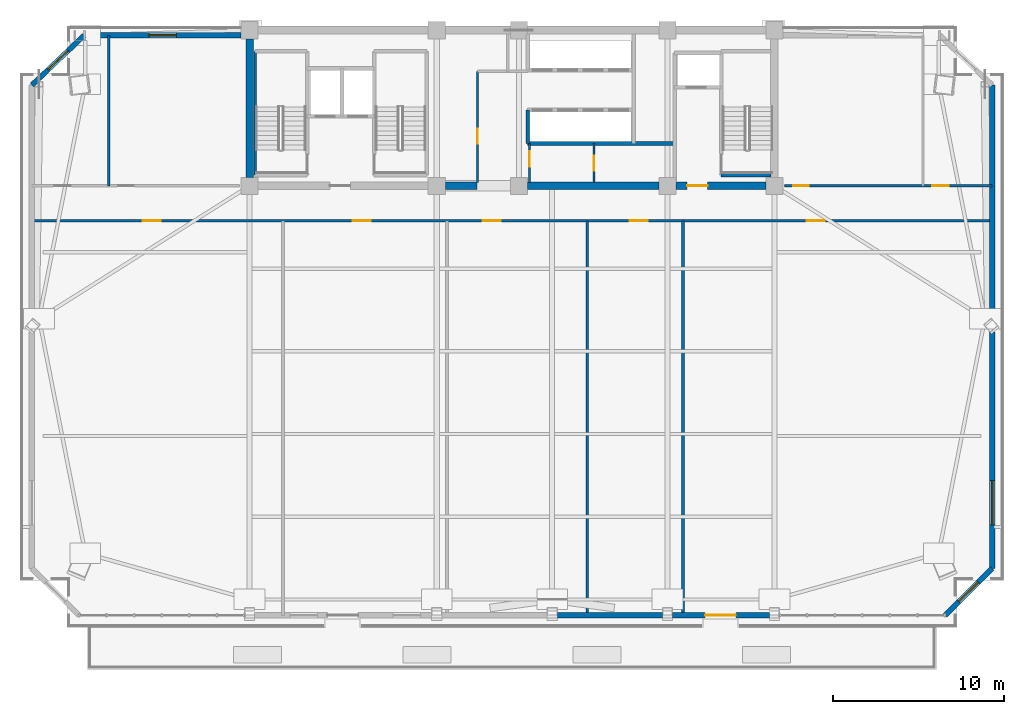
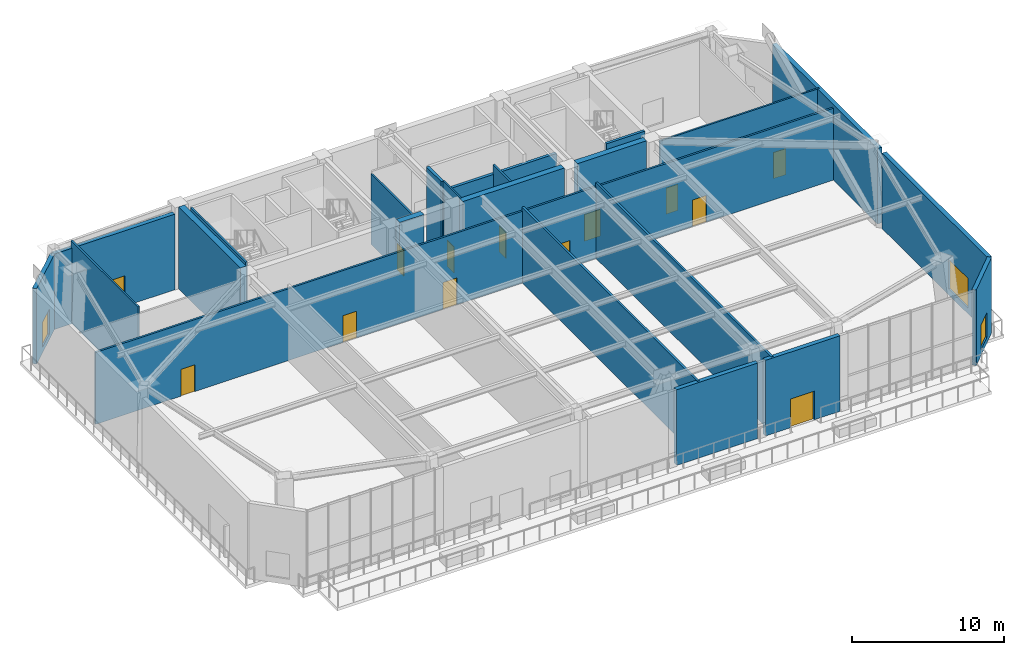
# One storey, part 9 of 16: 23 walls, 12 doors, 4 windows, 16 openings.
"""IFC4 building model written with IfcOpenShell, lengths in metres."""

from ifc_helpers import new_model, si_unit, direction, frame, frame_2d, origin, place, context, subcontext, project, spatial, rectangle, extrude, source, transform, mapped, material, layer, layer_set, type_object, element, fill, save


model = new_model("IFC4")

# Units and contexts
model_context = context("Model", 3, precision=1e-05, world=origin(), true_north=direction((0.0, 1.0)))
body_context = subcontext(model_context, "Body", "Model", "MODEL_VIEW")
ifc_project = project(units=[si_unit("LENGTHUNIT", "METRE"), si_unit("AREAUNIT", "SQUARE_METRE"), si_unit("VOLUMEUNIT", "CUBIC_METRE"), si_unit("PLANEANGLEUNIT", "RADIAN"), si_unit("MASSUNIT", "GRAM", prefix="KILO")], contexts=[model_context])

# Site, building, storey
site_placement = place(None, origin())
site = spatial("IfcSite", under=ifc_project, at=site_placement, CompositionType="ELEMENT")
building_placement = place(site_placement, origin())
building = spatial("IfcBuilding", under=site, at=building_placement, Name="Giltprow Tower", CompositionType="ELEMENT")
storey_placement = place(building_placement, frame((0.0, 0.0, 220.199951171875)))
storey = spatial("IfcBuildingStorey", under=building, at=storey_placement, Name="L56", CompositionType="ELEMENT", Elevation=220.199951171875)

# Wall, opening, window
ifc_material_1 = material(Name="Precast concrete C40", Category="concrete")
ifc_layer_1 = layer(ifc_material_1, 0.300048828125, Name="Precast concrete C40")
ifc_layer_set_1 = layer_set([ifc_layer_1], Name="Precast concrete C40")
wall_type_1 = type_object("IfcWallType", Name="EW-NOTCH-CHAMFER-300", PredefinedType="SOLIDWALL", material=ifc_layer_set_1)
wall_1_placement = place(storey_placement, frame((60.528076171875, 12.318115234375, 0.0), z_axis=(0.0, 0.0, 1.0), x_axis=(0.707106781187, 0.707106781187, 0.0)))
wall_1 = element("IfcWall", 1, at=wall_1_placement, inside=storey, type_object=wall_type_1, Name="L56 Corner Notch Wall SE", PredefinedType="SOLIDWALL", context=body_context, shape_type="SweptSolid", body=[
    extrude(rectangle(XDim=3.89453125, YDim=0.300048828125, at=frame_2d((1.947265625, 0.0))), origin(), (0.0, 0.0, 1.0), 6.06494140625),
])
opening_1_placement = place(wall_1_placement, frame((1.14697265625, 0.0, 0.449951171875)))
opening_1 = element("IfcOpeningElement", 2, at=opening_1_placement, cuts=wall_1, Name="Opening WN17", PredefinedType="OPENING", context=body_context, shape_type="SweptSolid", body=[
    extrude(rectangle(XDim=1.60009765625, YDim=2.0, at=frame_2d((0.800048828125, 1.0))), frame((0.0, 0.159912109375, 0.0), z_axis=(0.0, -1.0, 0.0), x_axis=(1.0, 0.0, 0.0)), (0.0, 0.0, 1.0), 0.320068359375),
])
ifc_material_2 = material(Name="Insulated glass", Category="glass")
window_type_1 = type_object("IfcWindowType", Name="WN-COR-1600x2000", PartitioningType="SINGLE_PANEL", PredefinedType="WINDOW", material=ifc_material_2)
shared_shape_1 = source(origin(), body_context, "Body", "SweptSolid", [
    extrude(rectangle(XDim=1.60009765625, YDim=2.0, at=frame_2d((0.800048828125, 1.0))), frame((0.0, 0.030029296875, 0.0), z_axis=(0.0, -1.0, 0.0), x_axis=(1.0, 0.0, 0.0)), (0.0, 0.0, 1.0), 0.06005859375),
])
window_1_placement = place(opening_1_placement, origin())
window_1 = element("IfcWindow", 3, at=window_1_placement, inside=storey, type_object=window_type_1, Name="L56 Corner Notch Window SE", OverallHeight=2.0, OverallWidth=1.60009765625, PartitioningType="SINGLE_PANEL", PredefinedType="WINDOW", context=body_context, shape_type="MappedRepresentation", body=[
    mapped(shared_shape_1, transform((0.0, 0.0, 0.0), x_axis=(1.0, 0.0, 0.0), y_axis=(0.0, 1.0, 0.0), z_axis=(0.0, 0.0, 1.0), scale=1.0)),
])
fill(opening_1, window_1)

wall_2_placement = place(storey_placement, frame((10.172119140625, 46.25, 0.0), z_axis=(0.0, 0.0, 1.0), x_axis=(-0.72469563388, -0.689069109912, 0.0)))
wall_2 = element("IfcWall", 4, at=wall_2_placement, inside=storey, type_object=wall_type_1, Name="L56 Corner Notch Wall NW", PredefinedType="SOLIDWALL", context=body_context, shape_type="SweptSolid", body=[
    extrude(rectangle(XDim=4.21435546875, YDim=0.300048828125, at=frame_2d((2.107177734375, 0.0))), origin(), (0.0, 0.0, 1.0), 6.06494140625),
])
opening_2_placement = place(wall_2_placement, frame((1.306884765625, 0.0, 0.449951171875)))
opening_2 = element("IfcOpeningElement", 5, at=opening_2_placement, cuts=wall_2, Name="Opening WN17", PredefinedType="OPENING", context=body_context, shape_type="SweptSolid", body=[
    extrude(rectangle(XDim=1.60009765625, YDim=2.0, at=frame_2d((0.800048828125, 1.0))), frame((0.0, 0.159912109375, 0.0), z_axis=(0.0, -1.0, 0.0), x_axis=(1.0, 0.0, 0.0)), (0.0, 0.0, 1.0), 0.320068359375),
])
window_2_placement = place(opening_2_placement, origin())
window_2 = element("IfcWindow", 6, at=window_2_placement, inside=storey, type_object=window_type_1, Name="L56 Corner Notch Window NW", OverallHeight=2.0, OverallWidth=1.60009765625, PartitioningType="SINGLE_PANEL", PredefinedType="WINDOW", context=body_context, shape_type="MappedRepresentation", body=[
    mapped(shared_shape_1, transform((0.0, 0.0, 0.0), x_axis=(1.0, 0.0, 0.0), y_axis=(0.0, 1.0, 0.0), z_axis=(0.0, 0.0, 1.0), scale=1.0)),
])
fill(opening_2, window_2)

# Wall
ifc_layer_2 = layer(ifc_material_1, 0.320068359375, Name="Precast concrete C40")
ifc_layer_set_2 = layer_set([ifc_layer_2], Name="Precast concrete C40")
wall_type_2 = type_object("IfcWallType", Name="EW-TOW-STONE-320", PredefinedType="SOLIDWALL", material=ifc_layer_set_2)
wall_3_placement = place(storey_placement, frame((37.85009765625, 12.318115234375, 0.0), z_axis=(0.0, 0.0, 1.0), x_axis=(1.0, 0.0, 0.0)))
element("IfcWall", 7, at=wall_3_placement, inside=storey, type_object=wall_type_2, Name="L56 South Expressed Frame Wall 4", PredefinedType="SOLIDWALL", context=body_context, shape_type="SweptSolid", body=[
    extrude(rectangle(XDim=6.14990234375, YDim=0.320068359375, at=frame_2d((3.074951171875, 0.0))), origin(), (0.0, 0.0, 1.0), 6.06494140625),
])

# Wall, opening, door
wall_4_placement = place(storey_placement, frame((44.60009765625, 12.318115234375, 0.0), z_axis=(0.0, 0.0, 1.0), x_axis=(1.0, 0.0, 0.0)))
wall_4 = element("IfcWall", 8, at=wall_4_placement, inside=storey, type_object=wall_type_2, Name="L56 South Expressed Frame Wall 5", PredefinedType="SOLIDWALL", context=body_context, shape_type="SweptSolid", body=[
    extrude(rectangle(XDim=5.64990234375, YDim=0.320068359375, at=frame_2d((2.824951171875, 0.0))), origin(), (0.0, 0.0, 1.0), 6.06494140625),
])
opening_3_placement = place(wall_4_placement, frame((1.89990234375, 0.0, 0.0)))
opening_3 = element("IfcOpeningElement", 9, at=opening_3_placement, cuts=wall_4, Name="Opening ED15", PredefinedType="OPENING", context=body_context, shape_type="SweptSolid", body=[
    extrude(rectangle(XDim=1.800048828125, YDim=2.300048828125, at=frame_2d((0.89990234375, 1.14990234375))), frame((0.0, 0.169921875, 0.0), z_axis=(0.0, -1.0, 0.0), x_axis=(1.0, 0.0, 0.0)), (0.0, 0.0, 1.0), 0.340087890625),
])
ifc_material_3 = material(Name="Anodized bronze and glass", Category="glass")
door_type_1 = type_object("IfcDoorType", Name="DR-TERR-SWING-1800", OperationType="DOUBLE_SWING_LEFT", PredefinedType="DOOR", material=ifc_material_3)
shared_shape_2 = source(origin(), body_context, "Body", "SweptSolid", [
    extrude(rectangle(XDim=1.800048828125, YDim=2.300048828125, at=frame_2d((0.89990234375, 1.14990234375))), frame((0.0, 0.02490234375, 0.0), z_axis=(0.0, -1.0, 0.0), x_axis=(1.0, 0.0, 0.0)), (0.0, 0.0, 1.0), 0.050048828125),
])
door_1_placement = place(opening_3_placement, origin())
door_1 = element("IfcDoor", 10, at=door_1_placement, inside=storey, type_object=door_type_1, Name="L56 Sky Garden Terrace Door 2", OperationType="DOUBLE_SWING_RIGHT", OverallHeight=2.300048828125, OverallWidth=1.800048828125, PredefinedType="DOOR", context=body_context, shape_type="MappedRepresentation", body=[
    mapped(shared_shape_2, transform((0.0, 0.0, 0.0), x_axis=(1.0, 0.0, 0.0), y_axis=(0.0, 1.0, 0.0), z_axis=(0.0, 0.0, 1.0), scale=1.0)),
])
fill(opening_3, door_1)

# Wall, opening, window
wall_5_placement = place(storey_placement, frame((63.281982421875, 15.072021484375, 0.0), z_axis=(0.0, 0.0, 1.0), x_axis=(0.0, 1.0, 0.0)))
wall_5 = element("IfcWall", 11, at=wall_5_placement, inside=storey, type_object=wall_type_2, Name="L56 E Wing Masonry Wall 1", PredefinedType="SOLIDWALL", context=body_context, shape_type="SweptSolid", body=[
    extrude(rectangle(XDim=13.8369140625, YDim=0.320068359375, at=frame_2d((6.91845703125, 0.0))), origin(), (0.0, 0.0, 1.0), 6.06494140625),
])
opening_4_placement = place(wall_5_placement, frame((2.5380859375, 0.0, 0.449951171875)))
opening_4 = element("IfcOpeningElement", 12, at=opening_4_placement, cuts=wall_5, Name="Opening WN19", PredefinedType="OPENING", context=body_context, shape_type="SweptSolid", body=[
    extrude(rectangle(XDim=2.60009765625, YDim=2.39990234375, at=frame_2d((1.300048828125, 1.199951171875))), frame((0.0, 0.169921875, 0.0), z_axis=(0.0, -1.0, 0.0), x_axis=(1.0, 0.0, 0.0)), (0.0, 0.0, 1.0), 0.340087890625),
])
window_type_2 = type_object("IfcWindowType", Name="WN-OBS-2600x2400", PartitioningType="DOUBLE_PANEL_VERTICAL", PredefinedType="WINDOW", material=ifc_material_2)
shared_shape_3 = source(origin(), body_context, "Body", "SweptSolid", [
    extrude(rectangle(XDim=2.60009765625, YDim=2.39990234375, at=frame_2d((1.300048828125, 1.199951171875))), frame((0.0, 0.030029296875, 0.0), z_axis=(0.0, -1.0, 0.0), x_axis=(1.0, 0.0, 0.0)), (0.0, 0.0, 1.0), 0.06005859375),
])
window_3_placement = place(opening_4_placement, origin())
window_3 = element("IfcWindow", 13, at=window_3_placement, inside=storey, type_object=window_type_2, Name="L56 E Wing Window 1-1A", OverallHeight=2.39990234375, OverallWidth=2.60009765625, PartitioningType="SINGLE_PANEL", PredefinedType="WINDOW", context=body_context, shape_type="MappedRepresentation", body=[
    mapped(shared_shape_3, transform((0.0, 0.0, 0.0), x_axis=(1.0, 0.0, 0.0), y_axis=(0.0, 1.0, 0.0), z_axis=(0.0, 0.0, 1.0), scale=1.0)),
])
fill(opening_4, window_3)

# Wall
wall_6_placement = place(storey_placement, frame((63.281982421875, 29.509033203125, 0.0), z_axis=(0.0, 0.0, 1.0), x_axis=(0.0, 1.0, 0.0)))
element("IfcWall", 14, at=wall_6_placement, inside=storey, type_object=wall_type_2, Name="L56 E Wing Masonry Wall 2", PredefinedType="SOLIDWALL", context=body_context, shape_type="SweptSolid", body=[
    extrude(rectangle(XDim=13.8369140625, YDim=0.320068359375, at=frame_2d((6.91845703125, 0.0))), origin(), (0.0, 0.0, 1.0), 6.06494140625),
])

# Wall, opening, window
wall_7_placement = place(storey_placement, frame((10.172119140625, 46.25, 0.0), z_axis=(0.0, 0.0, 1.0), x_axis=(1.0, 0.0, 0.0)))
wall_7 = element("IfcWall", 15, at=wall_7_placement, inside=storey, type_object=wall_type_2, Name="L56 North-West Wing Wall", PredefinedType="SOLIDWALL", context=body_context, shape_type="SweptSolid", body=[
    extrude(rectangle(XDim=9.177978515625, YDim=0.320068359375, at=frame_2d((4.5888671875, 0.0))), origin(), (0.0, 0.0, 1.0), 6.06494140625),
])
opening_5_placement = place(wall_7_placement, frame((3.7890625, 0.0, 0.449951171875)))
opening_5 = element("IfcOpeningElement", 16, at=opening_5_placement, cuts=wall_7, Name="Opening WN17", PredefinedType="OPENING", context=body_context, shape_type="SweptSolid", body=[
    extrude(rectangle(XDim=1.60009765625, YDim=2.0, at=frame_2d((0.800048828125, 1.0))), frame((0.0, 0.169921875, 0.0), z_axis=(0.0, -1.0, 0.0), x_axis=(1.0, 0.0, 0.0)), (0.0, 0.0, 1.0), 0.340087890625),
])
window_4_placement = place(opening_5_placement, origin())
window_4 = element("IfcWindow", 17, at=window_4_placement, inside=storey, type_object=window_type_1, Name="L56 North-West Window", OverallHeight=2.0, OverallWidth=1.60009765625, PartitioningType="SINGLE_PANEL", PredefinedType="WINDOW", context=body_context, shape_type="MappedRepresentation", body=[
    mapped(shared_shape_1, transform((0.0, 0.0, 0.0), x_axis=(1.0, 0.0, 0.0), y_axis=(0.0, 1.0, 0.0), z_axis=(0.0, 0.0, 1.0), scale=1.0)),
])
fill(opening_5, window_4)

# Wall, openings, doors
ifc_material_4 = material(Name="Gypsum stud partition", Category="gypsum")
ifc_layer_3 = layer(ifc_material_4, 0.14990234375, Name="Gypsum stud partition")
ifc_layer_set_3 = layer_set([ifc_layer_3], Name="Gypsum stud partition")
wall_type_3 = type_object("IfcWallType", Name="IW-CORR-150", PredefinedType="PARTITIONING", material=ifc_layer_set_3)
wall_8_placement = place(storey_placement, frame((7.117919921875, 35.39990234375, 0.0), z_axis=(0.0, 0.0, 1.0), x_axis=(1.0, 0.0, 0.0)))
wall_8 = element("IfcWall", 18, at=wall_8_placement, inside=storey, type_object=wall_type_3, Name="L56 Sky Lobby Concourse Wall", PredefinedType="PARTITIONING", context=body_context, shape_type="SweptSolid", body=[
    extrude(rectangle(XDim=56.1640625, YDim=0.14990234375, at=frame_2d((28.08203125, 0.0))), origin(), (0.0, 0.0, 1.0), 5.77001953125),
])
opening_6_placement = place(wall_8_placement, frame((6.491943359375, 0.0, 0.0)))
opening_6 = element("IfcOpeningElement", 19, at=opening_6_placement, cuts=wall_8, Name="Opening ID31", PredefinedType="OPENING", context=body_context, shape_type="SweptSolid", body=[
    extrude(rectangle(XDim=1.050048828125, YDim=2.14990234375, at=frame_2d((0.52490234375, 1.074951171875))), frame((0.0, 0.0849609375, 0.0), z_axis=(0.0, -1.0, 0.0), x_axis=(1.0, 0.0, 0.0)), (0.0, 0.0, 1.0), 0.169921875),
])
opening_7_placement = place(wall_8_placement, frame((18.77197265625, 0.0, 0.0)))
opening_7 = element("IfcOpeningElement", 20, at=opening_7_placement, cuts=wall_8, Name="Opening ID31", PredefinedType="OPENING", context=body_context, shape_type="SweptSolid", body=[
    extrude(rectangle(XDim=1.050048828125, YDim=2.14990234375, at=frame_2d((0.52490234375, 1.074951171875))), frame((0.0, 0.0849609375, 0.0), z_axis=(0.0, -1.0, 0.0), x_axis=(1.0, 0.0, 0.0)), (0.0, 0.0, 1.0), 0.169921875),
])
opening_8_placement = place(wall_8_placement, frame((26.3720703125, 0.0, 0.0)))
opening_8 = element("IfcOpeningElement", 21, at=opening_8_placement, cuts=wall_8, Name="Opening ID31", PredefinedType="OPENING", context=body_context, shape_type="SweptSolid", body=[
    extrude(rectangle(XDim=1.050048828125, YDim=2.14990234375, at=frame_2d((0.52490234375, 1.074951171875))), frame((0.0, 0.0849609375, 0.0), z_axis=(0.0, -1.0, 0.0), x_axis=(1.0, 0.0, 0.0)), (0.0, 0.0, 1.0), 0.169921875),
])
opening_9_placement = place(wall_8_placement, frame((34.971923828125, 0.0, 0.0)))
opening_9 = element("IfcOpeningElement", 22, at=opening_9_placement, cuts=wall_8, Name="Opening ID31", PredefinedType="OPENING", context=body_context, shape_type="SweptSolid", body=[
    extrude(rectangle(XDim=1.050048828125, YDim=2.14990234375, at=frame_2d((0.52490234375, 1.074951171875))), frame((0.0, 0.0849609375, 0.0), z_axis=(0.0, -1.0, 0.0), x_axis=(1.0, 0.0, 0.0)), (0.0, 0.0, 1.0), 0.169921875),
])
opening_10_placement = place(wall_8_placement, frame((45.319091796875, 0.0, 0.0)))
opening_10 = element("IfcOpeningElement", 23, at=opening_10_placement, cuts=wall_8, Name="Opening ID31", PredefinedType="OPENING", context=body_context, shape_type="SweptSolid", body=[
    extrude(rectangle(XDim=1.050048828125, YDim=2.14990234375, at=frame_2d((0.52490234375, 1.074951171875))), frame((0.0, 0.0849609375, 0.0), z_axis=(0.0, -1.0, 0.0), x_axis=(1.0, 0.0, 0.0)), (0.0, 0.0, 1.0), 0.169921875),
])
ifc_material_5 = material(Name="Engineered timber", Category="wood")
door_type_2 = type_object("IfcDoorType", Name="DR-SUITE-1050", OperationType="SINGLE_SWING_LEFT", PredefinedType="DOOR", material=ifc_material_5)
shared_shape_4 = source(origin(), body_context, "Body", "SweptSolid", [
    extrude(rectangle(XDim=1.050048828125, YDim=2.14990234375, at=frame_2d((0.52490234375, 1.074951171875))), frame((0.0, 0.02490234375, 0.0), z_axis=(0.0, -1.0, 0.0), x_axis=(1.0, 0.0, 0.0)), (0.0, 0.0, 1.0), 0.050048828125),
])
door_2_placement = place(opening_6_placement, origin())
door_2 = element("IfcDoor", 24, at=door_2_placement, inside=storey, type_object=door_type_2, Name="L56 Sky Garden Conservatory Lounge Door", OperationType="SINGLE_SWING_RIGHT", OverallHeight=2.14990234375, OverallWidth=1.050048828125, PredefinedType="DOOR", context=body_context, shape_type="MappedRepresentation", body=[
    mapped(shared_shape_4, transform((0.0, 0.0, 0.0), x_axis=(1.0, 0.0, 0.0), y_axis=(0.0, 1.0, 0.0), z_axis=(0.0, 0.0, 1.0), scale=1.0)),
])
fill(opening_6, door_2)
door_3_placement = place(opening_7_placement, origin())
door_3 = element("IfcDoor", 25, at=door_3_placement, inside=storey, type_object=door_type_2, Name="L56 Private Harbour Reception Door", OperationType="SINGLE_SWING_LEFT", OverallHeight=2.14990234375, OverallWidth=1.050048828125, PredefinedType="DOOR", context=body_context, shape_type="MappedRepresentation", body=[
    mapped(shared_shape_4, transform((0.0, 0.0, 0.0), x_axis=(1.0, 0.0, 0.0), y_axis=(0.0, 1.0, 0.0), z_axis=(0.0, 0.0, 1.0), scale=1.0)),
])
fill(opening_7, door_3)
door_4_placement = place(opening_8_placement, origin())
door_4 = element("IfcDoor", 26, at=door_4_placement, inside=storey, type_object=door_type_2, Name="L56 Altitude Wellness Gym Door", OperationType="SINGLE_SWING_RIGHT", OverallHeight=2.14990234375, OverallWidth=1.050048828125, PredefinedType="DOOR", context=body_context, shape_type="MappedRepresentation", body=[
    mapped(shared_shape_4, transform((0.0, 0.0, 0.0), x_axis=(1.0, 0.0, 0.0), y_axis=(0.0, 1.0, 0.0), z_axis=(0.0, 0.0, 1.0), scale=1.0)),
])
fill(opening_8, door_4)
door_5_placement = place(opening_9_placement, origin())
door_5 = element("IfcDoor", 27, at=door_5_placement, inside=storey, type_object=door_type_2, Name="L56 Club Catering Kitchen Door", OperationType="SINGLE_SWING_LEFT", OverallHeight=2.14990234375, OverallWidth=1.050048828125, PredefinedType="DOOR", context=body_context, shape_type="MappedRepresentation", body=[
    mapped(shared_shape_4, transform((0.0, 0.0, 0.0), x_axis=(1.0, 0.0, 0.0), y_axis=(0.0, 1.0, 0.0), z_axis=(0.0, 0.0, 1.0), scale=1.0)),
])
fill(opening_9, door_5)
door_6_placement = place(opening_10_placement, origin())
door_6 = element("IfcDoor", 28, at=door_6_placement, inside=storey, type_object=door_type_2, Name="L56 Sky Screening Meeting Room Door", OperationType="SINGLE_SWING_RIGHT", OverallHeight=2.14990234375, OverallWidth=1.050048828125, PredefinedType="DOOR", context=body_context, shape_type="MappedRepresentation", body=[
    mapped(shared_shape_4, transform((0.0, 0.0, 0.0), x_axis=(1.0, 0.0, 0.0), y_axis=(0.0, 1.0, 0.0), z_axis=(0.0, 0.0, 1.0), scale=1.0)),
])
fill(opening_10, door_6)

# Walls
ifc_layer_4 = layer(ifc_material_4, 0.159912109375, Name="Gypsum stud partition")
ifc_layer_set_4 = layer_set([ifc_layer_4], Name="Gypsum stud partition")
wall_type_4 = type_object("IfcWallType", Name="IW-DEMISE-160", PredefinedType="PARTITIONING", material=ifc_layer_set_4)
for number, where, z_axis, x_axis, name in (
    (29, (39.60009765625, 12.318115234375, 0.0), (0.0, 0.0, 1.0), (0.0, 1.0, 0.0), "L56 Sky Lobby Partition 3"),
    (30, (45.199951171875, 12.318115234375, 0.0), (0.0, 0.0, 1.0), (0.0, 1.0, 0.0), "L56 Sky Lobby Partition 4"),
):
    element("IfcWall", number, at=place(storey_placement, frame(where, z_axis=z_axis, x_axis=x_axis)), inside=storey, type_object=wall_type_4, Name=name, PredefinedType="PARTITIONING", context=body_context, shape_type="SweptSolid", body=[
        extrude(rectangle(XDim=23.081787109375, YDim=0.159912109375, at=frame_2d((11.541015625, 0.0))), origin(), (0.0, 0.0, 1.0), 6.070068359375),
    ])
ifc_material_6 = material(Name="Concrete C40", Category="concrete")
ifc_layer_5 = layer(ifc_material_6, 0.219970703125, Name="Concrete C40")
ifc_layer_set_5 = layer_set([ifc_layer_5], Name="Concrete C40")
wall_type_5 = type_object("IfcWallType", Name="IW-SHAFT-220", PredefinedType="SOLIDWALL", material=ifc_layer_set_5)
wall_9_placement = place(storey_placement, frame((36.1201171875, 39.919921875, 0.0), z_axis=(0.0, 0.0, 1.0), x_axis=(1.0, 0.0, 0.0)))
element("IfcWall", 31, at=wall_9_placement, inside=storey, type_object=wall_type_5, Name="L56 Mid-Rise South Lift Back Wall", PredefinedType="SOLIDWALL", context=body_context, shape_type="SweptSolid", body=[
    extrude(rectangle(XDim=8.599853515625, YDim=0.219970703125, at=frame_2d((4.2998046875, 0.0))), origin(), (0.0, 0.0, 1.0), 5.8701171875),
])
wall_10_placement = place(storey_placement, frame((36.1201171875, 39.919921875, 0.0), z_axis=(0.0, 0.0, 1.0), x_axis=(0.0, 1.0, 0.0)))
element("IfcWall", 32, at=wall_10_placement, inside=storey, type_object=wall_type_5, Name="L56 Mid-Rise South Lift West Closure", PredefinedType="SOLIDWALL", context=body_context, shape_type="SweptSolid", body=[
    extrude(rectangle(XDim=1.9599609375, YDim=0.219970703125, at=frame_2d((0.97998046875, 0.0))), origin(), (0.0, 0.0, 1.0), 6.5849609375),
])
ifc_material_7 = material(Name="Concrete C45", Category="concrete")
ifc_layer_6 = layer(ifc_material_7, 0.139892578125, Name="Concrete C45")
ifc_layer_set_6 = layer_set([ifc_layer_6], Name="Concrete C45")
wall_type_6 = type_object("IfcWallType", Name="IW-STAIR-140", PredefinedType="SOLIDWALL", material=ifc_layer_set_6)
wall_11_placement = place(storey_placement, frame((20.169921875, 38.070068359375, 0.0), z_axis=(0.0, 0.0, 1.0), x_axis=(0.0, 1.0, 0.0)))
element("IfcWall", 33, at=wall_11_placement, inside=storey, type_object=wall_type_6, Name="L56 Stair ST-1 West Bearing Wall", PredefinedType="SOLIDWALL", context=body_context, shape_type="SweptSolid", body=[
    extrude(rectangle(XDim=7.25, YDim=0.139892578125, at=frame_2d((3.625, 0.0))), origin(), (0.0, 0.0, 1.0), 6.800048828125),
])
ifc_layer_7 = layer(ifc_material_6, 0.199951171875, Name="Concrete C40")
ifc_layer_set_7 = layer_set([ifc_layer_7], Name="Concrete C40")
wall_type_7 = type_object("IfcWallType", Name="IW-STAIR-200", PredefinedType="SOLIDWALL", material=ifc_layer_set_7)
wall_12_placement = place(storey_placement, frame((47.43994140625, 38.070068359375, 0.0), z_axis=(0.0, 0.0, 1.0), x_axis=(1.0, 0.0, 0.0)))
element("IfcWall", 34, at=wall_12_placement, inside=storey, type_object=wall_type_7, Name="L56 Stair ST-3 South Bearing Wall", PredefinedType="SOLIDWALL", context=body_context, shape_type="SweptSolid", body=[
    extrude(rectangle(XDim=2.905029296875, YDim=0.199951171875, at=frame_2d((1.45263671875, 0.0))), origin(), (0.0, 0.0, 1.0), 6.800048828125),
])

# Wall, opening, door
ifc_material_8 = material(Name="Concrete C30", Category="concrete")
ifc_layer_8 = layer(ifc_material_8, 0.1298828125, Name="Concrete C30")
ifc_layer_set_8 = layer_set([ifc_layer_8], Name="Concrete C30")
wall_type_8 = type_object("IfcWallType", Name="IW-WET-130", PredefinedType="PARTITIONING", material=ifc_layer_set_8)
wall_13_placement = place(storey_placement, frame((33.179931640625, 37.655029296875, 0.0), z_axis=(0.0, 0.0, 1.0), x_axis=(0.0, 1.0, 0.0)))
wall_13 = element("IfcWall", 35, at=wall_13_placement, inside=storey, type_object=wall_type_8, Name="L56 Reclaimed Core Room East Wall", PredefinedType="PARTITIONING", context=body_context, shape_type="SweptSolid", body=[
    extrude(rectangle(XDim=6.494873046875, YDim=0.1298828125, at=frame_2d((3.24755859375, 0.0))), origin(), (0.0, 0.0, 1.0), 5.670166015625),
])
opening_11_placement = place(wall_13_placement, frame((2.2451171875, 0.0, 0.0)))
opening_11 = element("IfcOpeningElement", 36, at=opening_11_placement, cuts=wall_13, Name="Opening ID35", PredefinedType="OPENING", context=body_context, shape_type="SweptSolid", body=[
    extrude(rectangle(XDim=0.89990234375, YDim=2.10009765625, at=frame_2d((0.449951171875, 1.050048828125))), frame((0.0, 0.074951171875, 0.0), z_axis=(0.0, -1.0, 0.0), x_axis=(1.0, 0.0, 0.0)), (0.0, 0.0, 1.0), 0.14990234375),
])
ifc_material_9 = material(Name="Steel fire leaf", Category="steel")
door_type_3 = type_object("IfcDoorType", Name="DR-SHAFT-900", OperationType="SINGLE_SWING_LEFT", PredefinedType="DOOR", material=ifc_material_9)
shared_shape_5 = source(origin(), body_context, "Body", "SweptSolid", [
    extrude(rectangle(XDim=0.89990234375, YDim=2.10009765625, at=frame_2d((0.449951171875, 1.050048828125))), frame((0.0, 0.02490234375, 0.0), z_axis=(0.0, -1.0, 0.0), x_axis=(1.0, 0.0, 0.0)), (0.0, 0.0, 1.0), 0.050048828125),
])
door_7_placement = place(opening_11_placement, origin())
door_7 = element("IfcDoor", 37, at=door_7_placement, inside=storey, type_object=door_type_3, Name="L56 Housekeeping and Linen Suite Door", OperationType="SINGLE_SWING_LEFT", OverallHeight=2.10009765625, OverallWidth=0.89990234375, PredefinedType="DOOR", context=body_context, shape_type="MappedRepresentation", body=[
    mapped(shared_shape_5, transform((0.0, 0.0, 0.0), x_axis=(1.0, 0.0, 0.0), y_axis=(0.0, 1.0, 0.0), z_axis=(0.0, 0.0, 1.0), scale=1.0)),
])
fill(opening_11, door_7)

wall_14_placement = place(storey_placement, frame((36.219970703125, 37.655029296875, 0.0), z_axis=(0.0, 0.0, 1.0), x_axis=(0.0, 1.0, 0.0)))
wall_14 = element("IfcWall", 38, at=wall_14_placement, inside=storey, type_object=wall_type_8, Name="L56 Core Valet West Wall", PredefinedType="PARTITIONING", context=body_context, shape_type="SweptSolid", body=[
    extrude(rectangle(XDim=2.264892578125, YDim=0.1298828125, at=frame_2d((1.13232421875, 0.0))), origin(), (0.0, 0.0, 1.0), 6.5849609375),
])
opening_12_placement = place(wall_14_placement, frame((0.905029296875, 0.0, 0.0)))
opening_12 = element("IfcOpeningElement", 39, at=opening_12_placement, cuts=wall_14, Name="Opening ID35", PredefinedType="OPENING", context=body_context, shape_type="SweptSolid", body=[
    extrude(rectangle(XDim=0.89990234375, YDim=2.10009765625, at=frame_2d((0.449951171875, 1.050048828125))), frame((0.0, 0.074951171875, 0.0), z_axis=(0.0, -1.0, 0.0), x_axis=(1.0, 0.0, 0.0)), (0.0, 0.0, 1.0), 0.14990234375),
])
door_8_placement = place(opening_12_placement, origin())
door_8 = element("IfcDoor", 40, at=door_8_placement, inside=storey, type_object=door_type_3, Name="L56 Core Staff WC Door", OperationType="SINGLE_SWING_RIGHT", OverallHeight=2.10009765625, OverallWidth=0.89990234375, PredefinedType="DOOR", context=body_context, shape_type="MappedRepresentation", body=[
    mapped(shared_shape_5, transform((0.0, 0.0, 0.0), x_axis=(1.0, 0.0, 0.0), y_axis=(0.0, 1.0, 0.0), z_axis=(0.0, 0.0, 1.0), scale=1.0)),
])
fill(opening_12, door_8)

wall_15_placement = place(storey_placement, frame((40.0, 37.655029296875, 0.0), z_axis=(0.0, 0.0, 1.0), x_axis=(0.0, 1.0, 0.0)))
wall_15 = element("IfcWall", 41, at=wall_15_placement, inside=storey, type_object=wall_type_8, Name="L56 Core Valet Split", PredefinedType="PARTITIONING", context=body_context, shape_type="SweptSolid", body=[
    extrude(rectangle(XDim=2.264892578125, YDim=0.1298828125, at=frame_2d((1.13232421875, 0.0))), origin(), (0.0, 0.0, 1.0), 6.5849609375),
])
opening_13_placement = place(wall_15_placement, frame((0.6650390625, 0.0, 0.0)))
opening_13 = element("IfcOpeningElement", 42, at=opening_13_placement, cuts=wall_15, Name="Opening ID35", PredefinedType="OPENING", context=body_context, shape_type="SweptSolid", body=[
    extrude(rectangle(XDim=0.89990234375, YDim=2.10009765625, at=frame_2d((0.449951171875, 1.050048828125))), frame((0.0, 0.074951171875, 0.0), z_axis=(0.0, -1.0, 0.0), x_axis=(1.0, 0.0, 0.0)), (0.0, 0.0, 1.0), 0.14990234375),
])
door_9_placement = place(opening_13_placement, origin())
door_9 = element("IfcDoor", 43, at=door_9_placement, inside=storey, type_object=door_type_3, Name="L56 Core Minibar Pantry Door", OperationType="SINGLE_SWING_LEFT", OverallHeight=2.10009765625, OverallWidth=0.89990234375, PredefinedType="DOOR", context=body_context, shape_type="MappedRepresentation", body=[
    mapped(shared_shape_5, transform((0.0, 0.0, 0.0), x_axis=(1.0, 0.0, 0.0), y_axis=(0.0, 1.0, 0.0), z_axis=(0.0, 0.0, 1.0), scale=1.0)),
])
fill(opening_13, door_9)

# Wall
wall_16_placement = place(storey_placement, frame((11.614990234375, 37.449951171875, 0.0), z_axis=(0.0, 0.0, 1.0), x_axis=(0.0, 1.0, 0.0)))
element("IfcWall", 44, at=wall_16_placement, inside=storey, type_object=wall_type_8, Name="L56 NW Wing Divider", PredefinedType="PARTITIONING", context=body_context, shape_type="SweptSolid", body=[
    extrude(rectangle(XDim=8.800048828125, YDim=0.1298828125, at=frame_2d((4.39990234375, 0.0))), origin(), (0.0, 0.0, 1.0), 6.5849609375),
])

# Wall, openings, doors
wall_17_placement = place(storey_placement, frame((51.14990234375, 37.449951171875, 0.0), z_axis=(0.0, 0.0, 1.0), x_axis=(1.0, 0.0, 0.0)))
wall_17 = element("IfcWall", 45, at=wall_17_placement, inside=storey, type_object=wall_type_8, Name="L56 NE Wing South Wall", PredefinedType="PARTITIONING", context=body_context, shape_type="SweptSolid", body=[
    extrude(rectangle(XDim=12.132080078125, YDim=0.1298828125, at=frame_2d((6.06591796875, 0.0))), origin(), (0.0, 0.0, 1.0), 6.070068359375),
])
opening_14_placement = place(wall_17_placement, frame((0.5, 0.0, 0.0)))
opening_14 = element("IfcOpeningElement", 46, at=opening_14_placement, cuts=wall_17, Name="Opening ID15", PredefinedType="OPENING", context=body_context, shape_type="SweptSolid", body=[
    extrude(rectangle(XDim=0.89990234375, YDim=2.10009765625, at=frame_2d((0.449951171875, 1.050048828125))), frame((0.0, 0.074951171875, 0.0), z_axis=(0.0, -1.0, 0.0), x_axis=(1.0, 0.0, 0.0)), (0.0, 0.0, 1.0), 0.14990234375),
])
opening_15_placement = place(wall_17_placement, frame((8.64208984375, 0.0, 0.0)))
opening_15 = element("IfcOpeningElement", 47, at=opening_15_placement, cuts=wall_17, Name="Opening ID11", PredefinedType="OPENING", context=body_context, shape_type="SweptSolid", body=[
    extrude(rectangle(XDim=0.949951171875, YDim=2.10009765625, at=frame_2d((0.47509765625, 1.050048828125))), frame((0.0, 0.074951171875, 0.0), z_axis=(0.0, -1.0, 0.0), x_axis=(1.0, 0.0, 0.0)), (0.0, 0.0, 1.0), 0.14990234375),
])
door_type_4 = type_object("IfcDoorType", Name="DR-WC-900", OperationType="SINGLE_SWING_LEFT", PredefinedType="DOOR", material=ifc_material_5)
door_10_placement = place(opening_14_placement, origin())
door_10 = element("IfcDoor", 48, at=door_10_placement, inside=storey, type_object=door_type_4, Name="L56 East Wing Washroom Door", OperationType="SINGLE_SWING_RIGHT", OverallHeight=2.10009765625, OverallWidth=0.89990234375, PredefinedType="DOOR", context=body_context, shape_type="MappedRepresentation", body=[
    mapped(shared_shape_5, transform((0.0, 0.0, 0.0), x_axis=(1.0, 0.0, 0.0), y_axis=(0.0, 1.0, 0.0), z_axis=(0.0, 0.0, 1.0), scale=1.0)),
])
fill(opening_14, door_10)
door_type_5 = type_object("IfcDoorType", Name="DR-ROOM-950", OperationType="SINGLE_SWING_RIGHT", PredefinedType="DOOR", material=ifc_material_5)
shared_shape_6 = source(origin(), body_context, "Body", "SweptSolid", [
    extrude(rectangle(XDim=0.949951171875, YDim=2.10009765625, at=frame_2d((0.47509765625, 1.050048828125))), frame((0.0, 0.02490234375, 0.0), z_axis=(0.0, -1.0, 0.0), x_axis=(1.0, 0.0, 0.0)), (0.0, 0.0, 1.0), 0.050048828125),
])
door_11_placement = place(opening_15_placement, origin())
door_11 = element("IfcDoor", 49, at=door_11_placement, inside=storey, type_object=door_type_5, Name="L56 Conservatory Lounge Study Door", OperationType="SINGLE_SWING_RIGHT", OverallHeight=2.10009765625, OverallWidth=0.949951171875, PredefinedType="DOOR", context=body_context, shape_type="MappedRepresentation", body=[
    mapped(shared_shape_6, transform((0.0, 0.0, 0.0), x_axis=(1.0, 0.0, 0.0), y_axis=(0.0, 1.0, 0.0), z_axis=(0.0, 0.0, 1.0), scale=1.0)),
])
fill(opening_15, door_11)

# Walls
ifc_material_10 = material(Name="Concrete C50", Category="concrete")
ifc_layer_9 = layer(ifc_material_10, 0.449951171875, Name="Concrete C50")
ifc_layer_set_9 = layer_set([ifc_layer_9], Name="Concrete C50")
wall_type_9 = type_object("IfcWallType", Name="SW-INT-450-C50", PredefinedType="SHEAR", material=ifc_layer_set_9)
wall_18_placement = place(storey_placement, frame((31.300048828125, 37.449951171875, 0.0), z_axis=(0.0, 0.0, 1.0), x_axis=(1.0, 0.0, 0.0)))
element("IfcWall", 50, at=wall_18_placement, inside=storey, type_object=wall_type_9, Name="L56 South Rear Core Shear Wall Mid-West", PredefinedType="SHEAR", context=body_context, shape_type="SweptSolid", body=[
    extrude(rectangle(XDim=1.849853515625, YDim=0.449951171875, at=frame_2d((0.9248046875, 0.0))), origin(), (0.0, 0.0, 1.0), 6.5849609375),
])
wall_19_placement = place(storey_placement, frame((36.10009765625, 37.449951171875, 0.0), z_axis=(0.0, 0.0, 1.0), x_axis=(1.0, 0.0, 0.0)))
element("IfcWall", 51, at=wall_19_placement, inside=storey, type_object=wall_type_9, Name="L56 South Rear Core Shear Wall Mid-East", PredefinedType="SHEAR", context=body_context, shape_type="SweptSolid", body=[
    extrude(rectangle(XDim=7.699951171875, YDim=0.449951171875, at=frame_2d((3.85009765625, 0.0))), origin(), (0.0, 0.0, 1.0), 6.5849609375),
])

# Wall, opening, door
wall_20_placement = place(storey_placement, frame((44.800048828125, 37.449951171875, 0.0), z_axis=(0.0, 0.0, 1.0), x_axis=(1.0, 0.0, 0.0)))
wall_20 = element("IfcWall", 52, at=wall_20_placement, inside=storey, type_object=wall_type_9, Name="L56 South Rear Core Shear Wall East", PredefinedType="SHEAR", context=body_context, shape_type="SweptSolid", body=[
    extrude(rectangle(XDim=5.25, YDim=0.449951171875, at=frame_2d((2.625, 0.0))), origin(), (0.0, 0.0, 1.0), 6.5849609375),
])
opening_16_placement = place(wall_20_placement, frame((0.64990234375, 0.0, 0.0)))
opening_16 = element("IfcOpeningElement", 53, at=opening_16_placement, cuts=wall_20, Name="Opening ID19", PredefinedType="OPENING", context=body_context, shape_type="SweptSolid", body=[
    extrude(rectangle(XDim=1.199951171875, YDim=2.14990234375, at=frame_2d((0.60009765625, 1.074951171875))), frame((0.0, 0.23486328125, 0.0), z_axis=(0.0, -1.0, 0.0), x_axis=(1.0, 0.0, 0.0)), (0.0, 0.0, 1.0), 0.469970703125),
])
door_type_6 = type_object("IfcDoorType", Name="DR-FFLOBBY-1200", OperationType="SINGLE_SWING_RIGHT", PredefinedType="DOOR", material=ifc_material_9)
shared_shape_7 = source(origin(), body_context, "Body", "SweptSolid", [
    extrude(rectangle(XDim=1.199951171875, YDim=2.14990234375, at=frame_2d((0.60009765625, 1.074951171875))), frame((0.0, 0.02490234375, 0.0), z_axis=(0.0, -1.0, 0.0), x_axis=(1.0, 0.0, 0.0)), (0.0, 0.0, 1.0), 0.050048828125),
])
door_12_placement = place(opening_16_placement, origin())
door_12 = element("IfcDoor", 54, at=door_12_placement, inside=storey, type_object=door_type_6, Name="L56 East Firefighting Lobby Entry Door", OperationType="SINGLE_SWING_RIGHT", OverallHeight=2.14990234375, OverallWidth=1.199951171875, PredefinedType="DOOR", context=body_context, shape_type="MappedRepresentation", body=[
    mapped(shared_shape_7, transform((0.0, 0.0, 0.0), x_axis=(1.0, 0.0, 0.0), y_axis=(0.0, 1.0, 0.0), z_axis=(0.0, 0.0, 1.0), scale=1.0)),
])
fill(opening_16, door_12)

# Wall
wall_21_placement = place(storey_placement, frame((19.85009765625, 37.949951171875, 0.0), z_axis=(0.0, 0.0, 1.0), x_axis=(0.0, 1.0, 0.0)))
element("IfcWall", 55, at=wall_21_placement, inside=storey, type_object=wall_type_9, Name="L56 W Rear Core Shear Wall", PredefinedType="SHEAR", context=body_context, shape_type="SweptSolid", body=[
    extrude(rectangle(XDim=8.10009765625, YDim=0.449951171875, at=frame_2d((4.050048828125, 0.0))), origin(), (0.0, 0.0, 1.0), 6.5849609375),
])

save(model, "model.ifc")
